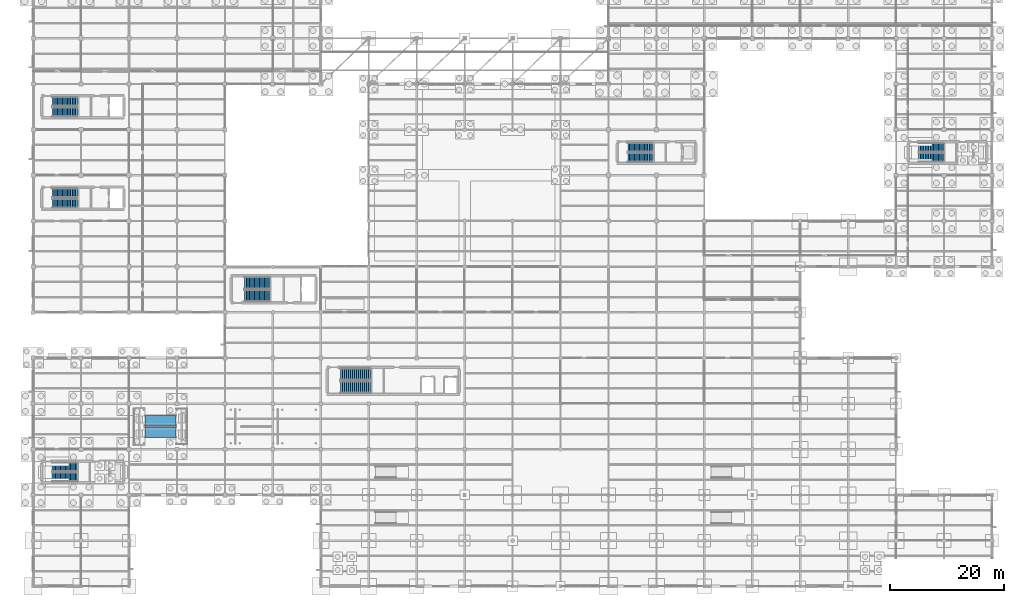
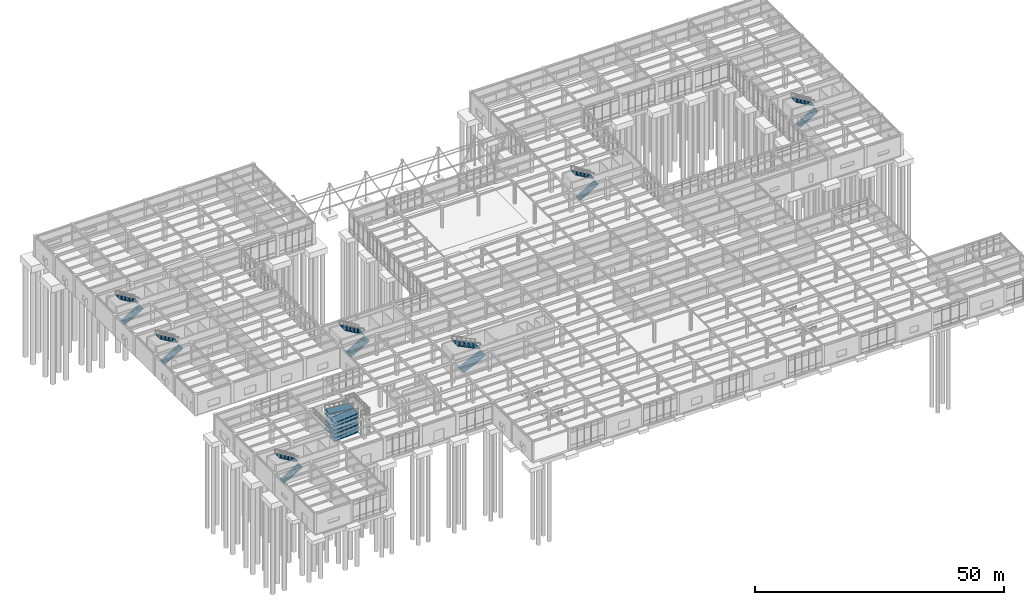
# One storey, part 87 of 138: 14 stair flights, 12 ramp flights, 8 elements without a shape of their own.
"""IFC4 building model written with IfcOpenShell, lengths in metres."""

import ifcopenshell
import ifcopenshell.guid

model = None  # the IFC model being written
_history = None  # IfcOwnerHistory: only IFC2X3 demands one
_inside = {}  # id of a spatial element -> (the spatial element, [elements in it])
_under = {}  # id of a project, library or spatial element -> (it, [spatial elements below it])
_declared = {}  # id of a project -> (the project, [libraries it declares])
_typed = {}  # id of a type object -> (the type object, [elements of that type])
_made_of = {}  # id of a material, layer set ... -> (it, [elements and type objects made of it])


def new_model(schema):
    """Start an empty IFC model of exactly this schema.

    Asked for "IFC4X3", IfcOpenShell would pick the latest addendum, in which some entities
    have other attributes; the version numbers below select the first issue.
    IFC2X3 requires an IfcOwnerHistory on every rooted entity: one is made here for all.
    """
    global model, _history
    if schema == "IFC4X3":
        model = ifcopenshell.file(schema_version=(4, 3, 0, 0))
    else:
        model = ifcopenshell.file(schema=schema)
    _inside.clear()
    _under.clear()
    _declared.clear()
    _typed.clear()
    _made_of.clear()
    _history = None
    if model.schema == "IFC2X3":
        org = make("IfcOrganization", Name="unknown")
        user = make(
            "IfcPersonAndOrganization",
            ThePerson=make("IfcPerson", FamilyName="unknown"),
            TheOrganization=org,
        )
        app = make(
            "IfcApplication",
            ApplicationDeveloper=org,
            Version="unknown",
            ApplicationFullName="unknown",
            ApplicationIdentifier="unknown",
        )
        _history = make(
            "IfcOwnerHistory",
            OwningUser=user,
            OwningApplication=app,
            ChangeAction="ADDED",
            CreationDate=0,
        )
    return model


def make(cls, **values):
    """One entity of the class cls with the attributes given. An attribute that is None is left unset."""
    return model.create_entity(
        cls, **{name: value for name, value in values.items() if value is not None}
    )


def rooted(cls, **values):
    """An entity with a GlobalId (a new one), such as an element, a storey or a relation."""
    return make(cls, GlobalId=ifcopenshell.guid.new(), OwnerHistory=_history, **values)


def si_unit(unit_type, name, prefix=None):
    """IfcSIUnit, for example si_unit("LENGTHUNIT", "METRE", prefix="MILLI")."""
    return make("IfcSIUnit", UnitType=unit_type, Prefix=prefix, Name=name)


def assignment(units):
    """IfcUnitAssignment: the units of a project."""
    return None if units is None else make("IfcUnitAssignment", Units=units)


def point(xyz):
    """IfcCartesianPoint."""
    return None if xyz is None else make("IfcCartesianPoint", Coordinates=xyz)


def direction(xyz):
    """IfcDirection."""
    return None if xyz is None else make("IfcDirection", DirectionRatios=xyz)


def frame(location, z_axis=None, x_axis=None):
    """IfcAxis2Placement3D, a coordinate frame: its origin and axes. An axis left out is left unset."""
    return make(
        "IfcAxis2Placement3D",
        Location=point(location),
        Axis=direction(z_axis),
        RefDirection=direction(x_axis),
    )


def origin():
    """The frame at (0, 0, 0) with its axes left unset."""
    return frame((0.0, 0.0, 0.0))


def place(relative_to, where):
    """IfcLocalPlacement: puts the frame where relative to a parent placement (None: the world)."""
    return make(
        "IfcLocalPlacement", PlacementRelTo=relative_to, RelativePlacement=where
    )


def context(
    kind, dimensions, precision=None, world=None, true_north=None, identifier=None
):
    """IfcGeometricRepresentationContext, for example the 3D "Model" context."""
    return make(
        "IfcGeometricRepresentationContext",
        ContextIdentifier=identifier,
        ContextType=kind,
        CoordinateSpaceDimension=dimensions,
        Precision=precision,
        WorldCoordinateSystem=world,
        TrueNorth=true_north,
    )


def subcontext(parent, identifier, kind, view, scale=None):
    """IfcGeometricRepresentationSubContext, for example "Body" below "Model"."""
    return make(
        "IfcGeometricRepresentationSubContext",
        ContextIdentifier=identifier,
        ContextType=kind,
        ParentContext=parent,
        TargetScale=scale,
        TargetView=view,
    )


def project(units=None, contexts=None):
    """IfcProject with its units and contexts."""
    return rooted(
        "IfcProject",
        Name="project",
        RepresentationContexts=contexts,
        UnitsInContext=assignment(units),
    )


def spatial(cls, under=None, at=None, **own):
    """A site, building, storey or space (cls), placed at a placement, below another one or the project."""
    s = rooted(cls, ObjectPlacement=at, **own)
    if under is not None:
        _under.setdefault(under.id(), (under, []))[1].append(s)
    return s


def polyline(points):
    """IfcPolyline through the points."""
    return make("IfcPolyline", Points=[point(p) for p in points])


def outline(outer, holes=None, kind="AREA"):
    """IfcArbitraryClosedProfileDef: a profile drawn as a closed curve; with holes, ...WithVoids."""
    if holes is None:
        return make("IfcArbitraryClosedProfileDef", ProfileType=kind, OuterCurve=outer)
    return make(
        "IfcArbitraryProfileDefWithVoids",
        ProfileType=kind,
        OuterCurve=outer,
        InnerCurves=holes,
    )


def extrude(swept, where, along, depth):
    """IfcExtrudedAreaSolid: the profile swept, set in the frame where, extruded along a direction by depth."""
    return make(
        "IfcExtrudedAreaSolid",
        SweptArea=swept,
        Position=where,
        ExtrudedDirection=direction(along),
        Depth=depth,
    )


def shape(context_of_items, identifier, shape_type, items):
    """IfcShapeRepresentation: the items that make up one representation, for example the "Body"."""
    return make(
        "IfcShapeRepresentation",
        ContextOfItems=context_of_items,
        RepresentationIdentifier=identifier,
        RepresentationType=shape_type,
        Items=items,
    )


def material(Name=None, Category=None):
    """IfcMaterial."""
    return make("IfcMaterial", Name=Name, Category=Category)


def layer(
    of_material, thickness, ventilated=None, Name=None, Category=None, Priority=None
):
    """IfcMaterialLayer: one layer of a wall or slab, of a material (None: an air gap)."""
    return make(
        "IfcMaterialLayer",
        Material=of_material,
        LayerThickness=thickness,
        IsVentilated=ventilated,
        Name=Name,
        Category=Category,
        Priority=Priority,
    )


def layer_set(layers, Name=None):
    """IfcMaterialLayerSet."""
    return make("IfcMaterialLayerSet", MaterialLayers=layers, LayerSetName=Name)


def made_of(thing, what):
    """Note that an element or type object is made of a material, layer set ...; save() writes the relation."""
    if what is not None:
        _made_of.setdefault(what.id(), (what, []))[1].append(thing)
    return thing


def type_object(cls, material=None, **own):
    """A type object (cls), such as IfcWallType, which elements share."""
    return made_of(rooted(cls, **own), material)


def element(
    cls,
    number,
    at=None,
    inside=None,
    cuts=None,
    type_object=None,
    material=None,
    context=None,
    identifier="Body",
    shape_type=None,
    held_by="IfcProductDefinitionShape",
    body=None,
    shapes=None,
    **own,
):
    """One element of the class cls, such as IfcWall. Its Tag is "e" and its number.

    at: its placement. inside: the storey or other place that contains it. cuts: it is an
    opening in that element (IfcRelVoidsElement). A single representation is given by context,
    identifier, shape_type and body (its items); several are given by shapes. held_by: the class
    of the entity that holds the representations. save() writes the other relations.
    """
    e = rooted(cls, Tag="e%d" % number, ObjectPlacement=at, **own)
    if body is not None:
        shapes = [shape(context, identifier, shape_type, body)]
    if shapes is not None:
        e.Representation = make(held_by, Representations=shapes)
    if inside is not None:
        _inside.setdefault(inside.id(), (inside, []))[1].append(e)
    if cuts is not None:
        rooted(
            "IfcRelVoidsElement", RelatingBuildingElement=cuts, RelatedOpeningElement=e
        )
    if type_object is not None:
        _typed.setdefault(type_object.id(), (type_object, []))[1].append(e)
    return made_of(e, material)


def aggregate(whole, parts):
    """IfcRelAggregates: a whole, such as a stair, and the parts it consists of."""
    return rooted("IfcRelAggregates", RelatingObject=whole, RelatedObjects=parts)


def save(model, path):
    """Write the relations noted so far, then the file.

    IfcRelAggregates (storeys below a building ...), IfcRelContainedInSpatialStructure (elements
    in a storey), IfcRelDefinesByType, IfcRelAssociatesMaterial and IfcRelDeclares: one each for
    every whole, place, type object, material and project.
    """
    for whole, parts in _under.values():
        aggregate(whole, parts)
    for where, things in _inside.values():
        rooted(
            "IfcRelContainedInSpatialStructure",
            RelatedElements=things,
            RelatingStructure=where,
        )
    for kind, things in _typed.values():
        rooted("IfcRelDefinesByType", RelatedObjects=things, RelatingType=kind)
    for what, things in _made_of.values():
        rooted("IfcRelAssociatesMaterial", RelatedObjects=things, RelatingMaterial=what)
    for by, libraries in _declared.values():
        rooted("IfcRelDeclares", RelatingContext=by, RelatedDefinitions=libraries)
    model.write(path)


model = new_model("IFC4")

# Units and contexts
model_context = context("Model", 3, precision=1e-05, world=origin(), true_north=direction((0.0, 1.0)))
body_context = subcontext(model_context, "Body", "Model", "MODEL_VIEW")
ifc_project = project(units=[si_unit("LENGTHUNIT", "METRE"), si_unit("AREAUNIT", "SQUARE_METRE"), si_unit("VOLUMEUNIT", "CUBIC_METRE"), si_unit("PLANEANGLEUNIT", "RADIAN"), si_unit("MASSUNIT", "GRAM", prefix="KILO")], contexts=[model_context])

# Site, building, storey
site_placement = place(None, origin())
site = spatial("IfcSite", under=ifc_project, at=site_placement, CompositionType="ELEMENT")
building_placement = place(site_placement, origin())
building = spatial("IfcBuilding", under=site, at=building_placement, Name="Kranzveld Transit Interchange", CompositionType="ELEMENT")
storey_placement = place(building_placement, origin())
storey = spatial("IfcBuildingStorey", under=building, at=storey_placement, Name="L00", CompositionType="ELEMENT", Elevation=0.0)

# Stair, stair flights
ifc_material_1 = material(Name="Concrete C35/45", Category="concrete")
stair_type_1 = type_object("IfcStairType", Name="Dogleg Stair 1600W H5440 C35/45", PredefinedType="HALF_TURN_STAIR", material=ifc_material_1)
stair_1_placement = place(storey_placement, origin())
stair_1 = element("IfcStair", 1, at=stair_1_placement, inside=storey, type_object=stair_type_1, Name="L00 Community East Core C4", PredefinedType="HALF_TURN_STAIR")
ifc_material_2 = material(Name="Concrete C35/45", Category="concrete")
stair_flight_type_1 = type_object("IfcStairFlightType", Name="Stair Flight 1600W H5440 C35/45", PredefinedType="STRAIGHT", material=ifc_material_2)
stair_flight_1_placement = place(storey_placement, frame((155.14990234375, 75.1201171875, 0.0), z_axis=(0.0, 0.0, 1.0), x_axis=(1.0, 0.0, 0.0)))
stair_flight_1 = element("IfcStairFlight", 2, at=stair_flight_1_placement, type_object=stair_flight_type_1, Name="ST-V4B flight 1", NumberOfRisers=16, NumberOfTreads=15, PredefinedType="STRAIGHT", RiserHeight=0.17, TreadLength=0.29, context=body_context, shape_type="SweptSolid", body=[
    extrude(outline(polyline([(0.0, 0.0), (0.0, 0.169921875), (0.2900390625, 0.169921875), (0.2900390625, 0.340087890625), (0.580078125, 0.340087890625), (0.580078125, 0.510009765625), (0.8701171875, 0.510009765625), (0.8701171875, 0.679931640625), (1.159912109375, 0.679931640625), (1.159912109375, 0.85009765625), (1.449951171875, 0.85009765625), (1.449951171875, 1.02001953125), (1.739990234375, 1.02001953125), (1.739990234375, 1.18994140625), (2.030029296875, 1.18994140625), (2.030029296875, 1.360107421875), (2.320068359375, 1.360107421875), (2.320068359375, 1.530029296875), (2.610107421875, 1.530029296875), (2.610107421875, 1.699951171875), (2.89990234375, 1.699951171875), (2.89990234375, 1.8701171875), (3.18994140625, 1.8701171875), (3.18994140625, 2.0400390625), (3.47998046875, 2.0400390625), (3.47998046875, 2.2099609375), (3.77001953125, 2.2099609375), (3.77001953125, 2.3798828125), (4.06005859375, 2.3798828125), (4.06005859375, 2.550048828125), (4.35009765625, 2.550048828125), (4.35009765625, 2.719970703125), (4.35009765625, 2.36474609375), (0.316162109375, 0.0), (0.0, 0.0)])), frame((0.0, 0.800048828125, 0.0), z_axis=(0.0, -1.0, 0.0), x_axis=(1.0, 0.0, 0.0)), (0.0, 0.0, 1.0), 1.60009765625),
])
stair_flight_2_placement = place(storey_placement, frame((159.5, 76.8798828125, 2.719970703125), z_axis=(0.0, 0.0, 1.0), x_axis=(-1.0, 0.0, 0.0)))
stair_flight_2 = element("IfcStairFlight", 3, at=stair_flight_2_placement, type_object=stair_flight_type_1, Name="ST-V4B flight 2", NumberOfRisers=16, NumberOfTreads=15, PredefinedType="STRAIGHT", RiserHeight=0.17, TreadLength=0.29, context=body_context, shape_type="SweptSolid", body=[
    extrude(outline(polyline([(0.0, 0.0), (0.0, 0.169921875), (0.2900390625, 0.169921875), (0.2900390625, 0.340087890625), (0.580078125, 0.340087890625), (0.580078125, 0.510009765625), (0.8701171875, 0.510009765625), (0.8701171875, 0.679931640625), (1.159912109375, 0.679931640625), (1.159912109375, 0.85009765625), (1.449951171875, 0.85009765625), (1.449951171875, 1.02001953125), (1.739990234375, 1.02001953125), (1.739990234375, 1.18994140625), (2.030029296875, 1.18994140625), (2.030029296875, 1.360107421875), (2.320068359375, 1.360107421875), (2.320068359375, 1.530029296875), (2.610107421875, 1.530029296875), (2.610107421875, 1.699951171875), (2.89990234375, 1.699951171875), (2.89990234375, 1.8701171875), (3.18994140625, 1.8701171875), (3.18994140625, 2.0400390625), (3.47998046875, 2.0400390625), (3.47998046875, 2.2099609375), (3.77001953125, 2.2099609375), (3.77001953125, 2.3798828125), (4.06005859375, 2.3798828125), (4.06005859375, 2.550048828125), (4.35009765625, 2.550048828125), (4.35009765625, 2.719970703125), (4.35009765625, 2.36474609375), (0.316162109375, 0.0), (0.0, 0.0)])), frame((0.0, 0.800048828125, 0.0), z_axis=(0.0, -1.0, 0.0), x_axis=(1.0, 0.0, 0.0)), (0.0, 0.0, 1.0), 1.60009765625),
])
aggregate(stair_1, [stair_flight_1, stair_flight_2])

stair_2_placement = place(storey_placement, origin())
stair_2 = element("IfcStair", 4, at=stair_2_placement, inside=storey, type_object=stair_type_1, Name="L00 Cycle Hub Core C7", PredefinedType="HALF_TURN_STAIR")
stair_flight_3_placement = place(storey_placement, frame((3.35009765625, 19.1201171875, 0.0), z_axis=(0.0, 0.0, 1.0), x_axis=(1.0, 0.0, 0.0)))
stair_flight_3 = element("IfcStairFlight", 5, at=stair_flight_3_placement, type_object=stair_flight_type_1, Name="ST-CY1 flight 1", NumberOfRisers=16, NumberOfTreads=15, PredefinedType="STRAIGHT", RiserHeight=0.17, TreadLength=0.29, context=body_context, shape_type="SweptSolid", body=[
    extrude(outline(polyline([(0.0, 0.0), (0.0, 0.169921875), (0.2900390625, 0.169921875), (0.2900390625, 0.340087890625), (0.580078125, 0.340087890625), (0.580078125, 0.510009765625), (0.8701171875, 0.510009765625), (0.8701171875, 0.679931640625), (1.159912109375, 0.679931640625), (1.159912109375, 0.85009765625), (1.449951171875, 0.85009765625), (1.449951171875, 1.02001953125), (1.739990234375, 1.02001953125), (1.739990234375, 1.18994140625), (2.030029296875, 1.18994140625), (2.030029296875, 1.360107421875), (2.320068359375, 1.360107421875), (2.320068359375, 1.530029296875), (2.610107421875, 1.530029296875), (2.610107421875, 1.699951171875), (2.89990234375, 1.699951171875), (2.89990234375, 1.8701171875), (3.18994140625, 1.8701171875), (3.18994140625, 2.0400390625), (3.47998046875, 2.0400390625), (3.47998046875, 2.2099609375), (3.77001953125, 2.2099609375), (3.77001953125, 2.3798828125), (4.06005859375, 2.3798828125), (4.06005859375, 2.550048828125), (4.35009765625, 2.550048828125), (4.35009765625, 2.719970703125), (4.35009765625, 2.36474609375), (0.316162109375, 0.0), (0.0, 0.0)])), frame((0.0, 0.800048828125, 0.0), z_axis=(0.0, -1.0, 0.0), x_axis=(1.0, 0.0, 0.0)), (0.0, 0.0, 1.0), 1.60009765625),
])
stair_flight_4_placement = place(storey_placement, frame((7.699951171875, 20.8798828125, 2.719970703125), z_axis=(0.0, 0.0, 1.0), x_axis=(-1.0, 0.0, 0.0)))
stair_flight_4 = element("IfcStairFlight", 6, at=stair_flight_4_placement, type_object=stair_flight_type_1, Name="ST-CY1 flight 2", NumberOfRisers=16, NumberOfTreads=15, PredefinedType="STRAIGHT", RiserHeight=0.17, TreadLength=0.29, context=body_context, shape_type="SweptSolid", body=[
    extrude(outline(polyline([(0.0, 0.0), (0.0, 0.169921875), (0.2900390625, 0.169921875), (0.2900390625, 0.340087890625), (0.580078125, 0.340087890625), (0.580078125, 0.510009765625), (0.8701171875, 0.510009765625), (0.8701171875, 0.679931640625), (1.159912109375, 0.679931640625), (1.159912109375, 0.85009765625), (1.449951171875, 0.85009765625), (1.449951171875, 1.02001953125), (1.739990234375, 1.02001953125), (1.739990234375, 1.18994140625), (2.030029296875, 1.18994140625), (2.030029296875, 1.360107421875), (2.320068359375, 1.360107421875), (2.320068359375, 1.530029296875), (2.610107421875, 1.530029296875), (2.610107421875, 1.699951171875), (2.89990234375, 1.699951171875), (2.89990234375, 1.8701171875), (3.18994140625, 1.8701171875), (3.18994140625, 2.0400390625), (3.47998046875, 2.0400390625), (3.47998046875, 2.2099609375), (3.77001953125, 2.2099609375), (3.77001953125, 2.3798828125), (4.06005859375, 2.3798828125), (4.06005859375, 2.550048828125), (4.35009765625, 2.550048828125), (4.35009765625, 2.719970703125), (4.35009765625, 2.36474609375), (0.316162109375, 0.0), (0.0, 0.0)])), frame((0.0, 0.800048828125, 0.0), z_axis=(0.0, -1.0, 0.0), x_axis=(1.0, 0.0, 0.0)), (0.0, 0.0, 1.0), 1.60009765625),
])
aggregate(stair_2, [stair_flight_3, stair_flight_4])

ifc_material_3 = material(Name="Concrete C35/45", Category="concrete")
stair_type_2 = type_object("IfcStairType", Name="Dogleg Stair 1650W H5440 C35/45", PredefinedType="HALF_TURN_STAIR", material=ifc_material_3)
stair_3_placement = place(storey_placement, origin())
stair_3 = element("IfcStair", 7, at=stair_3_placement, inside=storey, type_object=stair_type_2, Name="L00 Operations Core C1", PredefinedType="HALF_TURN_STAIR")
ifc_material_4 = material(Name="Concrete C35/45", Category="concrete")
stair_flight_type_2 = type_object("IfcStairFlightType", Name="Stair Flight 1650W H5440 C35/45", PredefinedType="STRAIGHT", material=ifc_material_4)
stair_flight_5_placement = place(storey_placement, frame((3.39990234375, 67.094970703125, 0.0), z_axis=(0.0, 0.0, 1.0), x_axis=(1.0, 0.0, 0.0)))
stair_flight_5 = element("IfcStairFlight", 8, at=stair_flight_5_placement, type_object=stair_flight_type_2, Name="ST-C1 flight 1", NumberOfRisers=16, NumberOfTreads=15, PredefinedType="STRAIGHT", RiserHeight=0.17, TreadLength=0.29, context=body_context, shape_type="SweptSolid", body=[
    extrude(outline(polyline([(0.0, 0.0), (0.0, 0.169921875), (0.2900390625, 0.169921875), (0.2900390625, 0.340087890625), (0.580078125, 0.340087890625), (0.580078125, 0.510009765625), (0.8701171875, 0.510009765625), (0.8701171875, 0.679931640625), (1.159912109375, 0.679931640625), (1.159912109375, 0.85009765625), (1.449951171875, 0.85009765625), (1.449951171875, 1.02001953125), (1.739990234375, 1.02001953125), (1.739990234375, 1.18994140625), (2.030029296875, 1.18994140625), (2.030029296875, 1.360107421875), (2.320068359375, 1.360107421875), (2.320068359375, 1.530029296875), (2.610107421875, 1.530029296875), (2.610107421875, 1.699951171875), (2.89990234375, 1.699951171875), (2.89990234375, 1.8701171875), (3.18994140625, 1.8701171875), (3.18994140625, 2.0400390625), (3.47998046875, 2.0400390625), (3.47998046875, 2.2099609375), (3.77001953125, 2.2099609375), (3.77001953125, 2.3798828125), (4.06005859375, 2.3798828125), (4.06005859375, 2.550048828125), (4.35009765625, 2.550048828125), (4.35009765625, 2.719970703125), (4.35009765625, 2.36474609375), (0.316162109375, 0.0), (0.0, 0.0)])), frame((0.0, 0.824951171875, 0.0), z_axis=(0.0, -1.0, 0.0), x_axis=(1.0, 0.0, 0.0)), (0.0, 0.0, 1.0), 1.64990234375),
])
stair_flight_6_placement = place(storey_placement, frame((7.75, 68.905029296875, 2.719970703125), z_axis=(0.0, 0.0, 1.0), x_axis=(-1.0, 0.0, 0.0)))
stair_flight_6 = element("IfcStairFlight", 9, at=stair_flight_6_placement, type_object=stair_flight_type_2, Name="ST-C1 flight 2", NumberOfRisers=16, NumberOfTreads=15, PredefinedType="STRAIGHT", RiserHeight=0.17, TreadLength=0.29, context=body_context, shape_type="SweptSolid", body=[
    extrude(outline(polyline([(0.0, 0.0), (0.0, 0.169921875), (0.2900390625, 0.169921875), (0.2900390625, 0.340087890625), (0.580078125, 0.340087890625), (0.580078125, 0.510009765625), (0.8701171875, 0.510009765625), (0.8701171875, 0.679931640625), (1.159912109375, 0.679931640625), (1.159912109375, 0.85009765625), (1.449951171875, 0.85009765625), (1.449951171875, 1.02001953125), (1.739990234375, 1.02001953125), (1.739990234375, 1.18994140625), (2.030029296875, 1.18994140625), (2.030029296875, 1.360107421875), (2.320068359375, 1.360107421875), (2.320068359375, 1.530029296875), (2.610107421875, 1.530029296875), (2.610107421875, 1.699951171875), (2.89990234375, 1.699951171875), (2.89990234375, 1.8701171875), (3.18994140625, 1.8701171875), (3.18994140625, 2.0400390625), (3.47998046875, 2.0400390625), (3.47998046875, 2.2099609375), (3.77001953125, 2.2099609375), (3.77001953125, 2.3798828125), (4.06005859375, 2.3798828125), (4.06005859375, 2.550048828125), (4.35009765625, 2.550048828125), (4.35009765625, 2.719970703125), (4.35009765625, 2.36474609375), (0.316162109375, 0.0), (0.0, 0.0)])), frame((0.0, 0.824951171875, 0.0), z_axis=(0.0, -1.0, 0.0), x_axis=(1.0, 0.0, 0.0)), (0.0, 0.0, 1.0), 1.64990234375),
])
aggregate(stair_3, [stair_flight_5, stair_flight_6])

stair_4_placement = place(storey_placement, origin())
stair_4 = element("IfcStair", 10, at=stair_4_placement, inside=storey, type_object=stair_type_2, Name="L00 Operations Core C2", PredefinedType="HALF_TURN_STAIR")
stair_flight_7_placement = place(storey_placement, frame((3.39990234375, 83.094970703125, 0.0), z_axis=(0.0, 0.0, 1.0), x_axis=(1.0, 0.0, 0.0)))
stair_flight_7 = element("IfcStairFlight", 11, at=stair_flight_7_placement, type_object=stair_flight_type_2, Name="ST-C2 flight 1", NumberOfRisers=16, NumberOfTreads=15, PredefinedType="STRAIGHT", RiserHeight=0.17, TreadLength=0.29, context=body_context, shape_type="SweptSolid", body=[
    extrude(outline(polyline([(0.0, 0.0), (0.0, 0.169921875), (0.2900390625, 0.169921875), (0.2900390625, 0.340087890625), (0.580078125, 0.340087890625), (0.580078125, 0.510009765625), (0.8701171875, 0.510009765625), (0.8701171875, 0.679931640625), (1.159912109375, 0.679931640625), (1.159912109375, 0.85009765625), (1.449951171875, 0.85009765625), (1.449951171875, 1.02001953125), (1.739990234375, 1.02001953125), (1.739990234375, 1.18994140625), (2.030029296875, 1.18994140625), (2.030029296875, 1.360107421875), (2.320068359375, 1.360107421875), (2.320068359375, 1.530029296875), (2.610107421875, 1.530029296875), (2.610107421875, 1.699951171875), (2.89990234375, 1.699951171875), (2.89990234375, 1.8701171875), (3.18994140625, 1.8701171875), (3.18994140625, 2.0400390625), (3.47998046875, 2.0400390625), (3.47998046875, 2.2099609375), (3.77001953125, 2.2099609375), (3.77001953125, 2.3798828125), (4.06005859375, 2.3798828125), (4.06005859375, 2.550048828125), (4.35009765625, 2.550048828125), (4.35009765625, 2.719970703125), (4.35009765625, 2.36474609375), (0.316162109375, 0.0), (0.0, 0.0)])), frame((0.0, 0.824951171875, 0.0), z_axis=(0.0, -1.0, 0.0), x_axis=(1.0, 0.0, 0.0)), (0.0, 0.0, 1.0), 1.64990234375),
])
stair_flight_8_placement = place(storey_placement, frame((7.75, 84.905029296875, 2.719970703125), z_axis=(0.0, 0.0, 1.0), x_axis=(-1.0, 0.0, 0.0)))
stair_flight_8 = element("IfcStairFlight", 12, at=stair_flight_8_placement, type_object=stair_flight_type_2, Name="ST-C2 flight 2", NumberOfRisers=16, NumberOfTreads=15, PredefinedType="STRAIGHT", RiserHeight=0.17, TreadLength=0.29, context=body_context, shape_type="SweptSolid", body=[
    extrude(outline(polyline([(0.0, 0.0), (0.0, 0.169921875), (0.2900390625, 0.169921875), (0.2900390625, 0.340087890625), (0.580078125, 0.340087890625), (0.580078125, 0.510009765625), (0.8701171875, 0.510009765625), (0.8701171875, 0.679931640625), (1.159912109375, 0.679931640625), (1.159912109375, 0.85009765625), (1.449951171875, 0.85009765625), (1.449951171875, 1.02001953125), (1.739990234375, 1.02001953125), (1.739990234375, 1.18994140625), (2.030029296875, 1.18994140625), (2.030029296875, 1.360107421875), (2.320068359375, 1.360107421875), (2.320068359375, 1.530029296875), (2.610107421875, 1.530029296875), (2.610107421875, 1.699951171875), (2.89990234375, 1.699951171875), (2.89990234375, 1.8701171875), (3.18994140625, 1.8701171875), (3.18994140625, 2.0400390625), (3.47998046875, 2.0400390625), (3.47998046875, 2.2099609375), (3.77001953125, 2.2099609375), (3.77001953125, 2.3798828125), (4.06005859375, 2.3798828125), (4.06005859375, 2.550048828125), (4.35009765625, 2.550048828125), (4.35009765625, 2.719970703125), (4.35009765625, 2.36474609375), (0.316162109375, 0.0), (0.0, 0.0)])), frame((0.0, 0.824951171875, 0.0), z_axis=(0.0, -1.0, 0.0), x_axis=(1.0, 0.0, 0.0)), (0.0, 0.0, 1.0), 1.64990234375),
])
aggregate(stair_4, [stair_flight_7, stair_flight_8])

stair_5_placement = place(storey_placement, origin())
stair_5 = element("IfcStair", 13, at=stair_5_placement, inside=storey, type_object=stair_type_2, Name="L00 Community Core C3", PredefinedType="HALF_TURN_STAIR")
stair_flight_9_placement = place(storey_placement, frame((104.199951171875, 75.094970703125, 0.0), z_axis=(0.0, 0.0, 1.0), x_axis=(1.0, 0.0, 0.0)))
stair_flight_9 = element("IfcStairFlight", 14, at=stair_flight_9_placement, type_object=stair_flight_type_2, Name="ST-V4A flight 1", NumberOfRisers=16, NumberOfTreads=15, PredefinedType="STRAIGHT", RiserHeight=0.17, TreadLength=0.29, context=body_context, shape_type="SweptSolid", body=[
    extrude(outline(polyline([(0.0, 0.0), (0.0, 0.169921875), (0.2900390625, 0.169921875), (0.2900390625, 0.340087890625), (0.580078125, 0.340087890625), (0.580078125, 0.510009765625), (0.8701171875, 0.510009765625), (0.8701171875, 0.679931640625), (1.159912109375, 0.679931640625), (1.159912109375, 0.85009765625), (1.449951171875, 0.85009765625), (1.449951171875, 1.02001953125), (1.739990234375, 1.02001953125), (1.739990234375, 1.18994140625), (2.030029296875, 1.18994140625), (2.030029296875, 1.360107421875), (2.320068359375, 1.360107421875), (2.320068359375, 1.530029296875), (2.610107421875, 1.530029296875), (2.610107421875, 1.699951171875), (2.89990234375, 1.699951171875), (2.89990234375, 1.8701171875), (3.18994140625, 1.8701171875), (3.18994140625, 2.0400390625), (3.47998046875, 2.0400390625), (3.47998046875, 2.2099609375), (3.77001953125, 2.2099609375), (3.77001953125, 2.3798828125), (4.06005859375, 2.3798828125), (4.06005859375, 2.550048828125), (4.35009765625, 2.550048828125), (4.35009765625, 2.719970703125), (4.35009765625, 2.36474609375), (0.316162109375, 0.0), (0.0, 0.0)])), frame((0.0, 0.824951171875, 0.0), z_axis=(0.0, -1.0, 0.0), x_axis=(1.0, 0.0, 0.0)), (0.0, 0.0, 1.0), 1.64990234375),
])
stair_flight_10_placement = place(storey_placement, frame((108.550048828125, 76.905029296875, 2.719970703125), z_axis=(0.0, 0.0, 1.0), x_axis=(-1.0, 0.0, 0.0)))
stair_flight_10 = element("IfcStairFlight", 15, at=stair_flight_10_placement, type_object=stair_flight_type_2, Name="ST-V4A flight 2", NumberOfRisers=16, NumberOfTreads=15, PredefinedType="STRAIGHT", RiserHeight=0.17, TreadLength=0.29, context=body_context, shape_type="SweptSolid", body=[
    extrude(outline(polyline([(0.0, 0.0), (0.0, 0.169921875), (0.2900390625, 0.169921875), (0.2900390625, 0.340087890625), (0.580078125, 0.340087890625), (0.580078125, 0.510009765625), (0.8701171875, 0.510009765625), (0.8701171875, 0.679931640625), (1.159912109375, 0.679931640625), (1.159912109375, 0.85009765625), (1.449951171875, 0.85009765625), (1.449951171875, 1.02001953125), (1.739990234375, 1.02001953125), (1.739990234375, 1.18994140625), (2.030029296875, 1.18994140625), (2.030029296875, 1.360107421875), (2.320068359375, 1.360107421875), (2.320068359375, 1.530029296875), (2.610107421875, 1.530029296875), (2.610107421875, 1.699951171875), (2.89990234375, 1.699951171875), (2.89990234375, 1.8701171875), (3.18994140625, 1.8701171875), (3.18994140625, 2.0400390625), (3.47998046875, 2.0400390625), (3.47998046875, 2.2099609375), (3.77001953125, 2.2099609375), (3.77001953125, 2.3798828125), (4.06005859375, 2.3798828125), (4.06005859375, 2.550048828125), (4.35009765625, 2.550048828125), (4.35009765625, 2.719970703125), (4.35009765625, 2.36474609375), (0.316162109375, 0.0), (0.0, 0.0)])), frame((0.0, 0.824951171875, 0.0), z_axis=(0.0, -1.0, 0.0), x_axis=(1.0, 0.0, 0.0)), (0.0, 0.0, 1.0), 1.64990234375),
])
aggregate(stair_5, [stair_flight_9, stair_flight_10])

ifc_material_5 = material(Name="Concrete C35/45", Category="concrete")
stair_type_3 = type_object("IfcStairType", Name="Dogleg Stair 2100W H5440 C35/45", PredefinedType="HALF_TURN_STAIR", material=ifc_material_5)
stair_6_placement = place(storey_placement, origin())
stair_6 = element("IfcStair", 16, at=stair_6_placement, inside=storey, type_object=stair_type_3, Name="L00 Metro West Core C5", PredefinedType="HALF_TURN_STAIR")
ifc_material_6 = material(Name="Concrete C35/45", Category="concrete")
stair_flight_type_3 = type_object("IfcStairFlightType", Name="Stair Flight 2100W H5440 C35/45", PredefinedType="STRAIGHT", material=ifc_material_6)
stair_flight_11_placement = place(storey_placement, frame((37.050048828125, 50.8701171875, 0.0), z_axis=(0.0, 0.0, 1.0), x_axis=(1.0, 0.0, 0.0)))
stair_flight_11 = element("IfcStairFlight", 17, at=stair_flight_11_placement, type_object=stair_flight_type_3, Name="ST-M1 flight 1", NumberOfRisers=16, NumberOfTreads=15, PredefinedType="STRAIGHT", RiserHeight=0.17, TreadLength=0.29, context=body_context, shape_type="SweptSolid", body=[
    extrude(outline(polyline([(0.0, 0.0), (0.0, 0.169921875), (0.2900390625, 0.169921875), (0.2900390625, 0.340087890625), (0.580078125, 0.340087890625), (0.580078125, 0.510009765625), (0.8701171875, 0.510009765625), (0.8701171875, 0.679931640625), (1.159912109375, 0.679931640625), (1.159912109375, 0.85009765625), (1.449951171875, 0.85009765625), (1.449951171875, 1.02001953125), (1.739990234375, 1.02001953125), (1.739990234375, 1.18994140625), (2.030029296875, 1.18994140625), (2.030029296875, 1.360107421875), (2.320068359375, 1.360107421875), (2.320068359375, 1.530029296875), (2.610107421875, 1.530029296875), (2.610107421875, 1.699951171875), (2.89990234375, 1.699951171875), (2.89990234375, 1.8701171875), (3.18994140625, 1.8701171875), (3.18994140625, 2.0400390625), (3.47998046875, 2.0400390625), (3.47998046875, 2.2099609375), (3.77001953125, 2.2099609375), (3.77001953125, 2.3798828125), (4.06005859375, 2.3798828125), (4.06005859375, 2.550048828125), (4.35009765625, 2.550048828125), (4.35009765625, 2.719970703125), (4.35009765625, 2.36474609375), (0.316162109375, 0.0), (0.0, 0.0)])), frame((0.0, 1.050048828125, 0.0), z_axis=(0.0, -1.0, 0.0), x_axis=(1.0, 0.0, 0.0)), (0.0, 0.0, 1.0), 2.10009765625),
])
stair_flight_12_placement = place(storey_placement, frame((41.39990234375, 53.1298828125, 2.719970703125), z_axis=(0.0, 0.0, 1.0), x_axis=(-1.0, 0.0, 0.0)))
stair_flight_12 = element("IfcStairFlight", 18, at=stair_flight_12_placement, type_object=stair_flight_type_3, Name="ST-M1 flight 2", NumberOfRisers=16, NumberOfTreads=15, PredefinedType="STRAIGHT", RiserHeight=0.17, TreadLength=0.29, context=body_context, shape_type="SweptSolid", body=[
    extrude(outline(polyline([(0.0, 0.0), (0.0, 0.169921875), (0.2900390625, 0.169921875), (0.2900390625, 0.340087890625), (0.580078125, 0.340087890625), (0.580078125, 0.510009765625), (0.8701171875, 0.510009765625), (0.8701171875, 0.679931640625), (1.159912109375, 0.679931640625), (1.159912109375, 0.85009765625), (1.449951171875, 0.85009765625), (1.449951171875, 1.02001953125), (1.739990234375, 1.02001953125), (1.739990234375, 1.18994140625), (2.030029296875, 1.18994140625), (2.030029296875, 1.360107421875), (2.320068359375, 1.360107421875), (2.320068359375, 1.530029296875), (2.610107421875, 1.530029296875), (2.610107421875, 1.699951171875), (2.89990234375, 1.699951171875), (2.89990234375, 1.8701171875), (3.18994140625, 1.8701171875), (3.18994140625, 2.0400390625), (3.47998046875, 2.0400390625), (3.47998046875, 2.2099609375), (3.77001953125, 2.2099609375), (3.77001953125, 2.3798828125), (4.06005859375, 2.3798828125), (4.06005859375, 2.550048828125), (4.35009765625, 2.550048828125), (4.35009765625, 2.719970703125), (4.35009765625, 2.36474609375), (0.316162109375, 0.0), (0.0, 0.0)])), frame((0.0, 1.050048828125, 0.0), z_axis=(0.0, -1.0, 0.0), x_axis=(1.0, 0.0, 0.0)), (0.0, 0.0, 1.0), 2.10009765625),
])
aggregate(stair_6, [stair_flight_11, stair_flight_12])

stair_7_placement = place(storey_placement, origin())
stair_7 = element("IfcStair", 19, at=stair_7_placement, inside=storey, type_object=stair_type_3, Name="L00 Metro East & Bus Mezzanine Core C6", PredefinedType="HALF_TURN_STAIR")
stair_flight_13_placement = place(storey_placement, frame((53.85009765625, 34.8701171875, 0.0), z_axis=(0.0, 0.0, 1.0), x_axis=(1.0, 0.0, 0.0)))
stair_flight_13 = element("IfcStairFlight", 20, at=stair_flight_13_placement, type_object=stair_flight_type_3, Name="ST-M2 flight 1", NumberOfRisers=16, NumberOfTreads=15, PredefinedType="STRAIGHT", RiserHeight=0.17, TreadLength=0.35, context=body_context, shape_type="SweptSolid", body=[
    extrude(outline(polyline([(0.0, 0.0), (0.0, 0.169921875), (0.35009765625, 0.169921875), (0.35009765625, 0.340087890625), (0.699951171875, 0.340087890625), (0.699951171875, 0.510009765625), (1.050048828125, 0.510009765625), (1.050048828125, 0.679931640625), (1.39990234375, 0.679931640625), (1.39990234375, 0.85009765625), (1.75, 0.85009765625), (1.75, 1.02001953125), (2.10009765625, 1.02001953125), (2.10009765625, 1.18994140625), (2.449951171875, 1.18994140625), (2.449951171875, 1.360107421875), (2.800048828125, 1.360107421875), (2.800048828125, 1.530029296875), (3.14990234375, 1.530029296875), (3.14990234375, 1.699951171875), (3.5, 1.699951171875), (3.5, 1.8701171875), (3.85009765625, 1.8701171875), (3.85009765625, 2.0400390625), (4.199951171875, 2.0400390625), (4.199951171875, 2.2099609375), (4.550048828125, 2.2099609375), (4.550048828125, 2.3798828125), (4.89990234375, 2.3798828125), (4.89990234375, 2.550048828125), (5.25, 2.550048828125), (5.25, 2.719970703125), (5.25, 2.372314453125), (0.365966796875, 0.0), (0.0, 0.0)])), frame((0.0, 1.050048828125, 0.0), z_axis=(0.0, -1.0, 0.0), x_axis=(1.0, 0.0, 0.0)), (0.0, 0.0, 1.0), 2.10009765625),
])
stair_flight_14_placement = place(storey_placement, frame((59.10009765625, 37.1298828125, 2.719970703125), z_axis=(0.0, 0.0, 1.0), x_axis=(-1.0, 0.0, 0.0)))
stair_flight_14 = element("IfcStairFlight", 21, at=stair_flight_14_placement, type_object=stair_flight_type_3, Name="ST-M2 flight 2", NumberOfRisers=16, NumberOfTreads=15, PredefinedType="STRAIGHT", RiserHeight=0.17, TreadLength=0.35, context=body_context, shape_type="SweptSolid", body=[
    extrude(outline(polyline([(0.0, 0.0), (0.0, 0.169921875), (0.35009765625, 0.169921875), (0.35009765625, 0.340087890625), (0.699951171875, 0.340087890625), (0.699951171875, 0.510009765625), (1.050048828125, 0.510009765625), (1.050048828125, 0.679931640625), (1.39990234375, 0.679931640625), (1.39990234375, 0.85009765625), (1.75, 0.85009765625), (1.75, 1.02001953125), (2.10009765625, 1.02001953125), (2.10009765625, 1.18994140625), (2.449951171875, 1.18994140625), (2.449951171875, 1.360107421875), (2.800048828125, 1.360107421875), (2.800048828125, 1.530029296875), (3.14990234375, 1.530029296875), (3.14990234375, 1.699951171875), (3.5, 1.699951171875), (3.5, 1.8701171875), (3.85009765625, 1.8701171875), (3.85009765625, 2.0400390625), (4.199951171875, 2.0400390625), (4.199951171875, 2.2099609375), (4.550048828125, 2.2099609375), (4.550048828125, 2.3798828125), (4.89990234375, 2.3798828125), (4.89990234375, 2.550048828125), (5.25, 2.550048828125), (5.25, 2.719970703125), (5.25, 2.372314453125), (0.365966796875, 0.0), (0.0, 0.0)])), frame((0.0, 1.050048828125, 0.0), z_axis=(0.0, -1.0, 0.0), x_axis=(1.0, 0.0, 0.0)), (0.0, 0.0, 1.0), 2.10009765625),
])
aggregate(stair_7, [stair_flight_13, stair_flight_14])

# Ramp, ramp flights
ifc_material_7 = material(Name="Concrete C35/45", Category="concrete")
ramp_type = type_object("IfcRampType", Name="Accessible Cycle Ramp 1:12 1850W C35/45", PredefinedType="STRAIGHT_RUN_RAMP", material=ifc_material_7)
ramp_placement = place(storey_placement, origin())
ramp = element("IfcRamp", 22, at=ramp_placement, inside=storey, type_object=ramp_type, Name="L00 Cycle Hub 1:12 Ramp RMP-1", PredefinedType="STRAIGHT_RUN_RAMP")
ifc_material_8 = material(Name="Concrete C35/45", Category="concrete")
ifc_layer = layer(ifc_material_8, 0.219970703125)
ifc_layer_set = layer_set([ifc_layer], Name="Concrete C35/45")
ramp_flight_type = type_object("IfcRampFlightType", Name="Cycle Ramp Flight 1850Wx220T C35/45", PredefinedType="STRAIGHT", material=ifc_layer_set)
ramp_flight_1_placement = place(storey_placement, frame((19.60009765625, 26.97509765625, 0.0), z_axis=(0.0, 0.0, 1.0), x_axis=(1.0, 0.0, 0.0)))
ramp_flight_1 = element("IfcRampFlight", 23, at=ramp_flight_1_placement, type_object=ramp_flight_type, Name="RMP-1 Flight 1", PredefinedType="STRAIGHT", context=body_context, shape_type="SweptSolid", body=[
    extrude(outline(polyline([(0.0, -0.219970703125), (0.0, 0.0), (5.43994140625, 0.453369140625), (5.43994140625, 0.2333984375), (0.0, -0.219970703125)])), frame((0.0, 0.925048828125, 0.0), z_axis=(0.0, -1.0, 0.0), x_axis=(1.0, 0.0, 0.0)), (0.0, 0.0, 1.0), 1.85009765625),
])
ramp_flight_2_placement = place(storey_placement, frame((25.0400390625, 29.02490234375, 0.453369140625), z_axis=(0.0, 0.0, 1.0), x_axis=(-1.0, 0.0, 0.0)))
ramp_flight_2 = element("IfcRampFlight", 24, at=ramp_flight_2_placement, type_object=ramp_flight_type, Name="RMP-1 Flight 2", PredefinedType="STRAIGHT", context=body_context, shape_type="SweptSolid", body=[
    extrude(outline(polyline([(0.0, -0.219970703125), (0.0, 0.0), (5.43994140625, 0.453369140625), (5.43994140625, 0.2333984375), (0.0, -0.219970703125)])), frame((0.0, 0.925048828125, 0.0), z_axis=(0.0, -1.0, 0.0), x_axis=(1.0, 0.0, 0.0)), (0.0, 0.0, 1.0), 1.85009765625),
])
ramp_flight_3_placement = place(storey_placement, frame((19.60009765625, 26.97509765625, 0.90673828125), z_axis=(0.0, 0.0, 1.0), x_axis=(1.0, 0.0, 0.0)))
ramp_flight_3 = element("IfcRampFlight", 25, at=ramp_flight_3_placement, type_object=ramp_flight_type, Name="RMP-1 Flight 3", PredefinedType="STRAIGHT", context=body_context, shape_type="SweptSolid", body=[
    extrude(outline(polyline([(0.0, -0.219970703125), (0.0, 0.0), (5.43994140625, 0.453369140625), (5.43994140625, 0.2333984375), (0.0, -0.219970703125)])), frame((0.0, 0.925048828125, 0.0), z_axis=(0.0, -1.0, 0.0), x_axis=(1.0, 0.0, 0.0)), (0.0, 0.0, 1.0), 1.85009765625),
])
ramp_flight_4_placement = place(storey_placement, frame((25.0400390625, 29.02490234375, 1.360107421875), z_axis=(0.0, 0.0, 1.0), x_axis=(-1.0, 0.0, 0.0)))
ramp_flight_4 = element("IfcRampFlight", 26, at=ramp_flight_4_placement, type_object=ramp_flight_type, Name="RMP-1 Flight 4", PredefinedType="STRAIGHT", context=body_context, shape_type="SweptSolid", body=[
    extrude(outline(polyline([(0.0, -0.219970703125), (0.0, 0.0), (5.43994140625, 0.453369140625), (5.43994140625, 0.2333984375), (0.0, -0.219970703125)])), frame((0.0, 0.925048828125, 0.0), z_axis=(0.0, -1.0, 0.0), x_axis=(1.0, 0.0, 0.0)), (0.0, 0.0, 1.0), 1.85009765625),
])
ramp_flight_5_placement = place(storey_placement, frame((19.60009765625, 26.97509765625, 1.813232421875), z_axis=(0.0, 0.0, 1.0), x_axis=(1.0, 0.0, 0.0)))
ramp_flight_5 = element("IfcRampFlight", 27, at=ramp_flight_5_placement, type_object=ramp_flight_type, Name="RMP-1 Flight 5", PredefinedType="STRAIGHT", context=body_context, shape_type="SweptSolid", body=[
    extrude(outline(polyline([(0.0, -0.219970703125), (0.0, 0.0), (5.43994140625, 0.453369140625), (5.43994140625, 0.2333984375), (0.0, -0.219970703125)])), frame((0.0, 0.925048828125, 0.0), z_axis=(0.0, -1.0, 0.0), x_axis=(1.0, 0.0, 0.0)), (0.0, 0.0, 1.0), 1.85009765625),
])
ramp_flight_6_placement = place(storey_placement, frame((25.0400390625, 29.02490234375, 2.2666015625), z_axis=(0.0, 0.0, 1.0), x_axis=(-1.0, 0.0, 0.0)))
ramp_flight_6 = element("IfcRampFlight", 28, at=ramp_flight_6_placement, type_object=ramp_flight_type, Name="RMP-1 Flight 6", PredefinedType="STRAIGHT", context=body_context, shape_type="SweptSolid", body=[
    extrude(outline(polyline([(0.0, -0.219970703125), (0.0, 0.0), (5.43994140625, 0.453369140625), (5.43994140625, 0.2333984375), (0.0, -0.219970703125)])), frame((0.0, 0.925048828125, 0.0), z_axis=(0.0, -1.0, 0.0), x_axis=(1.0, 0.0, 0.0)), (0.0, 0.0, 1.0), 1.85009765625),
])
ramp_flight_7_placement = place(storey_placement, frame((19.60009765625, 26.97509765625, 2.719970703125), z_axis=(0.0, 0.0, 1.0), x_axis=(1.0, 0.0, 0.0)))
ramp_flight_7 = element("IfcRampFlight", 29, at=ramp_flight_7_placement, type_object=ramp_flight_type, Name="RMP-1 Flight 7", PredefinedType="STRAIGHT", context=body_context, shape_type="SweptSolid", body=[
    extrude(outline(polyline([(0.0, -0.219970703125), (0.0, 0.0), (5.43994140625, 0.453369140625), (5.43994140625, 0.2333984375), (0.0, -0.219970703125)])), frame((0.0, 0.925048828125, 0.0), z_axis=(0.0, -1.0, 0.0), x_axis=(1.0, 0.0, 0.0)), (0.0, 0.0, 1.0), 1.85009765625),
])
ramp_flight_8_placement = place(storey_placement, frame((25.0400390625, 29.02490234375, 3.17333984375), z_axis=(0.0, 0.0, 1.0), x_axis=(-1.0, 0.0, 0.0)))
ramp_flight_8 = element("IfcRampFlight", 30, at=ramp_flight_8_placement, type_object=ramp_flight_type, Name="RMP-1 Flight 8", PredefinedType="STRAIGHT", context=body_context, shape_type="SweptSolid", body=[
    extrude(outline(polyline([(0.0, -0.219970703125), (0.0, 0.0), (5.43994140625, 0.453369140625), (5.43994140625, 0.2333984375), (0.0, -0.219970703125)])), frame((0.0, 0.925048828125, 0.0), z_axis=(0.0, -1.0, 0.0), x_axis=(1.0, 0.0, 0.0)), (0.0, 0.0, 1.0), 1.85009765625),
])
ramp_flight_9_placement = place(storey_placement, frame((19.60009765625, 26.97509765625, 3.626708984375), z_axis=(0.0, 0.0, 1.0), x_axis=(1.0, 0.0, 0.0)))
ramp_flight_9 = element("IfcRampFlight", 31, at=ramp_flight_9_placement, type_object=ramp_flight_type, Name="RMP-1 Flight 9", PredefinedType="STRAIGHT", context=body_context, shape_type="SweptSolid", body=[
    extrude(outline(polyline([(0.0, -0.219970703125), (0.0, 0.0), (5.43994140625, 0.453369140625), (5.43994140625, 0.2333984375), (0.0, -0.219970703125)])), frame((0.0, 0.925048828125, 0.0), z_axis=(0.0, -1.0, 0.0), x_axis=(1.0, 0.0, 0.0)), (0.0, 0.0, 1.0), 1.85009765625),
])
ramp_flight_10_placement = place(storey_placement, frame((25.0400390625, 29.02490234375, 4.080078125), z_axis=(0.0, 0.0, 1.0), x_axis=(-1.0, 0.0, 0.0)))
ramp_flight_10 = element("IfcRampFlight", 32, at=ramp_flight_10_placement, type_object=ramp_flight_type, Name="RMP-1 Flight 10", PredefinedType="STRAIGHT", context=body_context, shape_type="SweptSolid", body=[
    extrude(outline(polyline([(0.0, -0.219970703125), (0.0, 0.0), (5.43994140625, 0.453369140625), (5.43994140625, 0.2333984375), (0.0, -0.219970703125)])), frame((0.0, 0.925048828125, 0.0), z_axis=(0.0, -1.0, 0.0), x_axis=(1.0, 0.0, 0.0)), (0.0, 0.0, 1.0), 1.85009765625),
])
ramp_flight_11_placement = place(storey_placement, frame((19.60009765625, 26.97509765625, 4.533447265625), z_axis=(0.0, 0.0, 1.0), x_axis=(1.0, 0.0, 0.0)))
ramp_flight_11 = element("IfcRampFlight", 33, at=ramp_flight_11_placement, type_object=ramp_flight_type, Name="RMP-1 Flight 11", PredefinedType="STRAIGHT", context=body_context, shape_type="SweptSolid", body=[
    extrude(outline(polyline([(0.0, -0.219970703125), (0.0, 0.0), (5.43994140625, 0.453369140625), (5.43994140625, 0.2333984375), (0.0, -0.219970703125)])), frame((0.0, 0.925048828125, 0.0), z_axis=(0.0, -1.0, 0.0), x_axis=(1.0, 0.0, 0.0)), (0.0, 0.0, 1.0), 1.85009765625),
])
ramp_flight_12_placement = place(storey_placement, frame((25.0400390625, 29.02490234375, 4.986572265625), z_axis=(0.0, 0.0, 1.0), x_axis=(-1.0, 0.0, 0.0)))
ramp_flight_12 = element("IfcRampFlight", 34, at=ramp_flight_12_placement, type_object=ramp_flight_type, Name="RMP-1 Flight 12", PredefinedType="STRAIGHT", context=body_context, shape_type="SweptSolid", body=[
    extrude(outline(polyline([(0.0, -0.219970703125), (0.0, 0.0), (5.43994140625, 0.453369140625), (5.43994140625, 0.2333984375), (0.0, -0.219970703125)])), frame((0.0, 0.925048828125, 0.0), z_axis=(0.0, -1.0, 0.0), x_axis=(1.0, 0.0, 0.0)), (0.0, 0.0, 1.0), 1.85009765625),
])
aggregate(ramp, [ramp_flight_1, ramp_flight_2, ramp_flight_3, ramp_flight_4, ramp_flight_5, ramp_flight_6, ramp_flight_7, ramp_flight_8, ramp_flight_9, ramp_flight_10, ramp_flight_11, ramp_flight_12])

save(model, "model.ifc")
